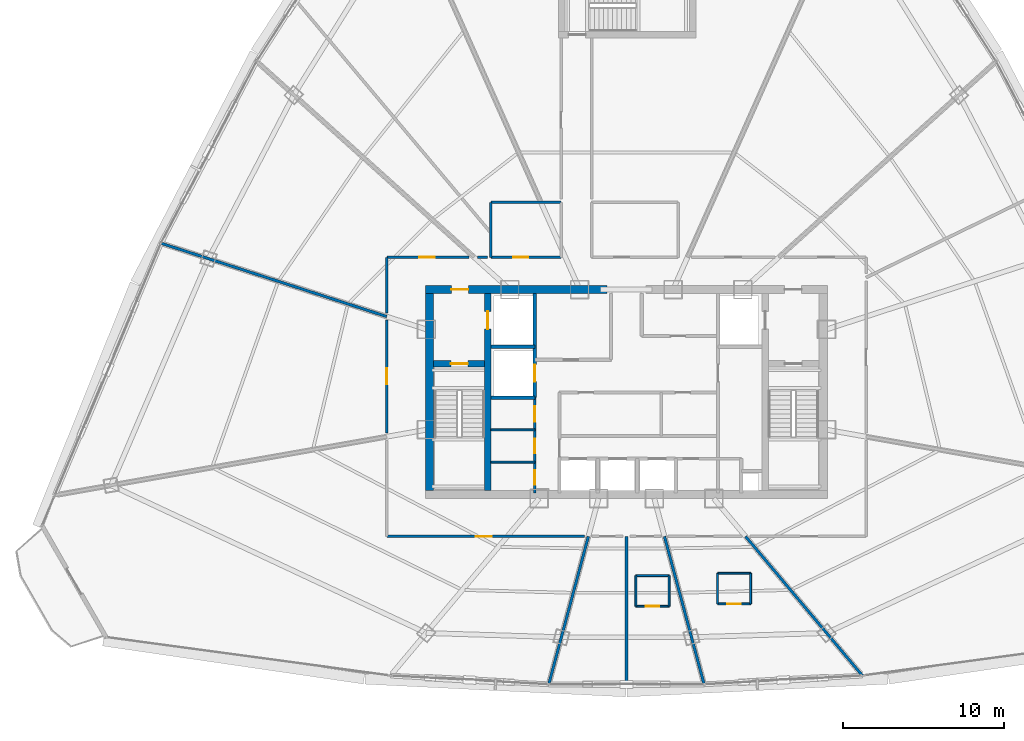
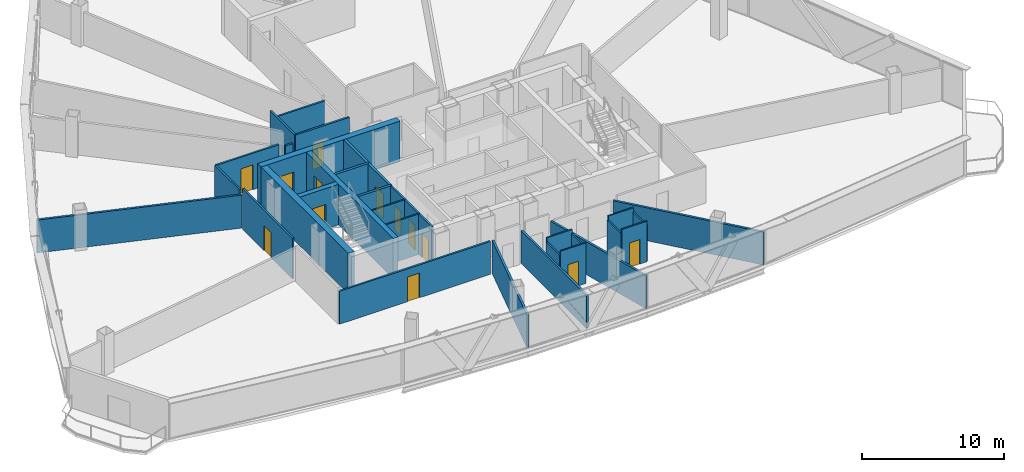
# One storey, part 27 of 34: 31 walls, 13 doors, 13 openings.
"""IFC4 building model written with IfcOpenShell, lengths in metres."""

from ifc_helpers import new_model, si_unit, direction, frame, frame_2d, origin, origin_with_axes, place, context, subcontext, project, spatial, rectangle, extrude, source, transform, mapped, material, layer, layer_set, type_object, element, fill, save


model = new_model("IFC4")

# Units and contexts
model_context = context("Model", 3, precision=1e-05, world=origin(), true_north=direction((0.0, 1.0)))
body_context = subcontext(model_context, "Body", "Model", "MODEL_VIEW")
ifc_project = project(units=[si_unit("LENGTHUNIT", "METRE"), si_unit("AREAUNIT", "SQUARE_METRE"), si_unit("VOLUMEUNIT", "CUBIC_METRE"), si_unit("PLANEANGLEUNIT", "RADIAN"), si_unit("MASSUNIT", "GRAM", prefix="KILO"), si_unit("THERMODYNAMICTEMPERATUREUNIT", "KELVIN"), si_unit("POWERUNIT", "WATT")], contexts=[model_context])

# Site, building, storey
site_placement = place(None, origin())
site = spatial("IfcSite", under=ifc_project, at=site_placement, CompositionType="ELEMENT")
building_placement = place(site_placement, origin())
building = spatial("IfcBuilding", under=site, at=building_placement, Name="Yunzhuo Pagoda Commons", CompositionType="ELEMENT")
storey_placement = place(building_placement, frame((0.0, 0.0, 233.340087890625)))
storey = spatial("IfcBuildingStorey", under=building, at=storey_placement, Name="L58", CompositionType="ELEMENT", Elevation=233.340087890625)

# Wall, opening, door
ifc_material_1 = material(Name="Concrete C50", Category="concrete")
ifc_layer_1 = layer(ifc_material_1, 0.5)
ifc_layer_set_1 = layer_set([ifc_layer_1], Name="Concrete C50")
wall_type_1 = type_object("IfcWallType", Name="W-C03 Upper Core Shear Wall 500", PredefinedType="SHEAR", material=ifc_layer_set_1)
wall_1_placement = place(storey_placement, frame((35.550048828125, 40.199951171875, 0.0), z_axis=(0.0, 0.0, 1.0), x_axis=(1.0, 0.0, 0.0)))
wall_1 = element("IfcWall", 1, at=wall_1_placement, inside=storey, type_object=wall_type_1, Name="L58 core shear wall NW", PredefinedType="SHEAR", context=body_context, shape_type="SweptSolid", body=[
    extrude(rectangle(XDim=11.25, YDim=0.5, at=frame_2d((5.625, 0.0))), origin(), (0.0, 0.0, 1.0), 3.469970703125),
])
opening_1_placement = place(wall_1_placement, frame((1.60009765625, 0.0, 0.0)))
opening_1 = element("IfcOpeningElement", 2, at=opening_1_placement, cuts=wall_1, Name="Opening D-02", PredefinedType="OPENING", context=body_context, shape_type="SweptSolid", body=[
    extrude(rectangle(XDim=1.050048828125, YDim=2.10009765625, at=frame_2d((0.52490234375, 1.050048828125))), frame((0.0, 0.260009765625, 0.0), z_axis=(0.0, -1.0, 0.0), x_axis=(1.0, 0.0, 0.0)), (0.0, 0.0, 1.0), 0.52001953125),
])
ifc_material_2 = material(Name="Galvanized fire-resisting metal leaf")
door_type_1 = type_object("IfcDoorType", Name="D-02 Firefighting Lobby & Refuge Fire Door 1050x2100", OperationType="NOTDEFINED", PredefinedType="DOOR", material=ifc_material_2)
shared_shape_1 = source(origin(), body_context, "Body", "SweptSolid", [
    extrude(rectangle(XDim=1.050048828125, YDim=2.10009765625, at=frame_2d((0.52490234375, 1.050048828125))), frame((0.0, 0.02490234375, 0.0), z_axis=(0.0, -1.0, 0.0), x_axis=(1.0, 0.0, 0.0)), (0.0, 0.0, 1.0), 0.050048828125),
])
door_1_placement = place(opening_1_placement, frame((1.050048828125, 0.0, 0.0), z_axis=(0.0, 0.0, 1.0), x_axis=(-1.0, 0.0, 0.0)))
door_1 = element("IfcDoor", 3, at=door_1_placement, inside=storey, type_object=door_type_1, Name="L58 Firefighting Lobby 1 fire door", OperationType="SINGLE_SWING_LEFT", OverallHeight=2.10009765625, OverallWidth=1.050048828125, PredefinedType="DOOR", context=body_context, shape_type="MappedRepresentation", body=[
    mapped(shared_shape_1, transform((0.0, 0.0, 0.0), scale=1.0)),
])
fill(opening_1, door_1)

# Wall
wall_2_placement = place(storey_placement, frame((35.800048828125, 27.75, 0.0), z_axis=(0.0, 0.0, 1.0), x_axis=(0.0, 1.0, 0.0)))
element("IfcWall", 4, at=wall_2_placement, inside=storey, type_object=wall_type_1, Name="L58 core shear wall W", PredefinedType="SHEAR", context=body_context, shape_type="SweptSolid", body=[
    extrude(rectangle(XDim=12.199951171875, YDim=0.5, at=frame_2d((6.10009765625, 0.0))), origin(), (0.0, 0.0, 1.0), 3.469970703125),
])

# Wall, openings, doors
ifc_material_3 = material(Name="Gypsum plasterboard on acoustic stud")
ifc_layer_2 = layer(ifc_material_3, 0.14990234375)
ifc_layer_set_2 = layer_set([ifc_layer_2], Name="Gypsum plasterboard on acoustic stud")
wall_type_2 = type_object("IfcWallType", Name="W-COR3 High-Zone Rated Corridor Wall 150", PredefinedType="PARTITIONING", material=ifc_layer_set_2)
wall_3_placement = place(storey_placement, frame((42.320068359375, 27.60009765625, 0.0), z_axis=(0.0, 0.0, 1.0), x_axis=(0.0, 1.0, 0.0)))
wall_3 = element("IfcWall", 5, at=wall_3_placement, inside=storey, type_object=wall_type_2, Name="L58 interior wall IW-L58-CSWE", PredefinedType="PARTITIONING", context=body_context, shape_type="SweptSolid", body=[
    extrude(rectangle(XDim=5.89990234375, YDim=0.14990234375, at=frame_2d((2.949951171875, 0.0))), origin(), (0.0, 0.0, 1.0), 3.469970703125),
])
opening_2_placement = place(wall_3_placement, frame((0.5, 0.0, 0.0)))
opening_2 = element("IfcOpeningElement", 6, at=opening_2_placement, cuts=wall_3, Name="Opening D-03", PredefinedType="OPENING", context=body_context, shape_type="SweptSolid", body=[
    extrude(rectangle(XDim=0.89990234375, YDim=2.10009765625, at=frame_2d((0.449951171875, 1.050048828125))), frame((0.0, 0.0849609375, 0.0), z_axis=(0.0, -1.0, 0.0), x_axis=(1.0, 0.0, 0.0)), (0.0, 0.0, 1.0), 0.169921875),
])
opening_3_placement = place(wall_3_placement, frame((2.449951171875, 0.0, 0.0)))
opening_3 = element("IfcOpeningElement", 7, at=opening_3_placement, cuts=wall_3, Name="Opening D-03", PredefinedType="OPENING", context=body_context, shape_type="SweptSolid", body=[
    extrude(rectangle(XDim=0.89990234375, YDim=2.10009765625, at=frame_2d((0.449951171875, 1.050048828125))), frame((0.0, 0.0849609375, 0.0), z_axis=(0.0, -1.0, 0.0), x_axis=(1.0, 0.0, 0.0)), (0.0, 0.0, 1.0), 0.169921875),
])
opening_4_placement = place(wall_3_placement, frame((4.419921875, 0.0, 0.0)))
opening_4 = element("IfcOpeningElement", 8, at=opening_4_placement, cuts=wall_3, Name="Opening D-11", PredefinedType="OPENING", context=body_context, shape_type="SweptSolid", body=[
    extrude(rectangle(XDim=0.93994140625, YDim=2.10009765625, at=frame_2d((0.469970703125, 1.050048828125))), frame((0.0, 0.0849609375, 0.0), z_axis=(0.0, -1.0, 0.0), x_axis=(1.0, 0.0, 0.0)), (0.0, 0.0, 1.0), 0.169921875),
])
door_type_2 = type_object("IfcDoorType", Name="D-03 Core Service Fire Door 900x2100", OperationType="NOTDEFINED", PredefinedType="DOOR", material=ifc_material_2)
shared_shape_2 = source(origin(), body_context, "Body", "SweptSolid", [
    extrude(rectangle(XDim=0.89990234375, YDim=2.10009765625, at=frame_2d((0.449951171875, 1.050048828125))), frame((0.0, 0.02490234375, 0.0), z_axis=(0.0, -1.0, 0.0), x_axis=(1.0, 0.0, 0.0)), (0.0, 0.0, 1.0), 0.050048828125),
])
door_2_placement = place(opening_2_placement, origin_with_axes())
door_2 = element("IfcDoor", 9, at=door_2_placement, inside=storey, type_object=door_type_2, Name="L58 switch door", OperationType="SINGLE_SWING_RIGHT", OverallHeight=2.10009765625, OverallWidth=0.89990234375, PredefinedType="DOOR", context=body_context, shape_type="MappedRepresentation", body=[
    mapped(shared_shape_2, transform((0.0, 0.0, 0.0), scale=1.0)),
])
fill(opening_2, door_2)
door_3_placement = place(opening_3_placement, origin_with_axes())
door_3 = element("IfcDoor", 10, at=door_3_placement, inside=storey, type_object=door_type_2, Name="L58 cleaner door", OperationType="SINGLE_SWING_RIGHT", OverallHeight=2.10009765625, OverallWidth=0.89990234375, PredefinedType="DOOR", context=body_context, shape_type="MappedRepresentation", body=[
    mapped(shared_shape_2, transform((0.0, 0.0, 0.0), scale=1.0)),
])
fill(opening_3, door_3)
door_type_3 = type_object("IfcDoorType", Name="D-11 Accessible Washroom Fire Door 940x2100", OperationType="NOTDEFINED", PredefinedType="DOOR", material=ifc_material_2)
shared_shape_3 = source(origin(), body_context, "Body", "SweptSolid", [
    extrude(rectangle(XDim=0.93994140625, YDim=2.10009765625, at=frame_2d((0.469970703125, 1.050048828125))), frame((0.0, 0.02490234375, 0.0), z_axis=(0.0, -1.0, 0.0), x_axis=(1.0, 0.0, 0.0)), (0.0, 0.0, 1.0), 0.050048828125),
])
door_4_placement = place(opening_4_placement, origin_with_axes())
door_4 = element("IfcDoor", 11, at=door_4_placement, inside=storey, type_object=door_type_3, Name="L58 core WC door", OperationType="SINGLE_SWING_LEFT", OverallHeight=2.10009765625, OverallWidth=0.93994140625, PredefinedType="DOOR", context=body_context, shape_type="MappedRepresentation", body=[
    mapped(shared_shape_3, transform((0.0, 0.0, 0.0), scale=1.0)),
])
fill(opening_4, door_4)

# Wall, opening, door
wall_4_placement = place(storey_placement, frame((39.60009765625, 42.199951171875, 0.0), z_axis=(0.0, 0.0, 1.0), x_axis=(1.0, 0.0, 0.0)))
wall_4 = element("IfcWall", 12, at=wall_4_placement, inside=storey, type_object=wall_type_2, Name="L58 interior wall IW-L58-TFWS", PredefinedType="PARTITIONING", context=body_context, shape_type="SweptSolid", body=[
    extrude(rectangle(XDim=4.349853515625, YDim=0.14990234375, at=frame_2d((2.1748046875, 0.0))), origin(), (0.0, 0.0, 1.0), 3.469970703125),
])
opening_5_placement = place(wall_4_placement, frame((1.39990234375, 0.0, 0.0)))
opening_5 = element("IfcOpeningElement", 13, at=opening_5_placement, cuts=wall_4, Name="Opening D-04", PredefinedType="OPENING", context=body_context, shape_type="SweptSolid", body=[
    extrude(rectangle(XDim=0.919921875, YDim=2.10009765625, at=frame_2d((0.4599609375, 1.050048828125))), frame((0.0, 0.0849609375, 0.0), z_axis=(0.0, -1.0, 0.0), x_axis=(1.0, 0.0, 0.0)), (0.0, 0.0, 1.0), 0.169921875),
])
ifc_material_4 = material(Name="Powder-coated aluminium and timber acoustic leaf", Category="wood")
door_type_4 = type_object("IfcDoorType", Name="D-04 Bedroom & Study Interior Door 920x2100", OperationType="NOTDEFINED", PredefinedType="DOOR", material=ifc_material_4)
shared_shape_4 = source(origin(), body_context, "Body", "SweptSolid", [
    extrude(rectangle(XDim=0.919921875, YDim=2.10009765625, at=frame_2d((0.4599609375, 1.050048828125))), frame((0.0, 0.02490234375, 0.0), z_axis=(0.0, -1.0, 0.0), x_axis=(1.0, 0.0, 0.0)), (0.0, 0.0, 1.0), 0.050048828125),
])
door_5_placement = place(opening_5_placement, frame((0.919921875, 0.0, 0.0), z_axis=(0.0, 0.0, 1.0), x_axis=(-1.0, 0.0, 0.0)))
door_5 = element("IfcDoor", 14, at=door_5_placement, inside=storey, type_object=door_type_4, Name="L58 laundry door", OperationType="SINGLE_SWING_LEFT", OverallHeight=2.10009765625, OverallWidth=0.919921875, PredefinedType="DOOR", context=body_context, shape_type="MappedRepresentation", body=[
    mapped(shared_shape_4, transform((0.0, 0.0, 0.0), scale=1.0)),
])
fill(opening_5, door_5)

# Walls
wall_5_placement = place(storey_placement, frame((39.60009765625, 45.60009765625, 0.0), z_axis=(0.0, 0.0, 1.0), x_axis=(1.0, 0.0, 0.0)))
element("IfcWall", 15, at=wall_5_placement, inside=storey, type_object=wall_type_2, Name="L58 interior wall IW-L58-TFWN", PredefinedType="PARTITIONING", context=body_context, shape_type="SweptSolid", body=[
    extrude(rectangle(XDim=4.349853515625, YDim=0.14990234375, at=frame_2d((2.1748046875, 0.0))), origin(), (0.0, 0.0, 1.0), 2.81982421875),
])
wall_6_placement = place(storey_placement, frame((39.60009765625, 42.199951171875, 0.0), z_axis=(0.0, 0.0, 1.0), x_axis=(0.0, 1.0, 0.0)))
element("IfcWall", 16, at=wall_6_placement, inside=storey, type_object=wall_type_2, Name="L58 interior wall IW-L58-TFWW", PredefinedType="PARTITIONING", context=body_context, shape_type="SweptSolid", body=[
    extrude(rectangle(XDim=3.400146484375, YDim=0.14990234375, at=frame_2d((1.7001953125, 0.0))), origin(), (0.0, 0.0, 1.0), 3.469970703125),
])

# Wall, opening, door
wall_7_placement = place(storey_placement, frame((33.14990234375, 31.30126953125, 0.0), z_axis=(0.0, 0.0, 1.0), x_axis=(0.0, 1.0, 0.0)))
wall_7 = element("IfcWall", 17, at=wall_7_placement, inside=storey, type_object=wall_type_2, Name="L58 interior wall IW-L58-CWL02", PredefinedType="PARTITIONING", context=body_context, shape_type="SweptSolid", body=[
    extrude(rectangle(XDim=7.004150390625, YDim=0.14990234375, at=frame_2d((3.501953125, 0.0))), origin(), (0.0, 0.0, 1.0), 3.469970703125),
])
opening_6_placement = place(wall_7_placement, frame((3.027099609375, 0.0, 0.0)))
opening_6 = element("IfcOpeningElement", 18, at=opening_6_placement, cuts=wall_7, Name="Opening D-08", PredefinedType="OPENING", context=body_context, shape_type="SweptSolid", body=[
    extrude(rectangle(XDim=0.97998046875, YDim=2.1201171875, at=frame_2d((0.489990234375, 1.06005859375))), frame((0.0, 0.0849609375, 0.0), z_axis=(0.0, -1.0, 0.0), x_axis=(1.0, 0.0, 0.0)), (0.0, 0.0, 1.0), 0.169921875),
])
door_type_5 = type_object("IfcDoorType", Name="D-08 High-Zone Suite Entrance Fire Door 980x2120", OperationType="NOTDEFINED", PredefinedType="DOOR", material=ifc_material_2)
shared_shape_5 = source(origin(), body_context, "Body", "SweptSolid", [
    extrude(rectangle(XDim=0.97998046875, YDim=2.1201171875, at=frame_2d((0.489990234375, 1.06005859375))), frame((0.0, 0.02490234375, 0.0), z_axis=(0.0, -1.0, 0.0), x_axis=(1.0, 0.0, 0.0)), (0.0, 0.0, 1.0), 0.050048828125),
])
door_6_placement = place(opening_6_placement, origin_with_axes())
door_6 = element("IfcDoor", 19, at=door_6_placement, inside=storey, type_object=door_type_5, Name="L58 unit 08 entrance door", OperationType="SINGLE_SWING_RIGHT", OverallHeight=2.1201171875, OverallWidth=0.97998046875, PredefinedType="DOOR", context=body_context, shape_type="MappedRepresentation", body=[
    mapped(shared_shape_5, transform((0.0, 0.0, 0.0), scale=1.0)),
])
fill(opening_6, door_6)

# Wall
wall_8_placement = place(storey_placement, frame((33.14990234375, 38.75634765625, 0.0), z_axis=(0.0, 0.0, 1.0), x_axis=(0.0, 1.0, 0.0)))
element("IfcWall", 20, at=wall_8_placement, inside=storey, type_object=wall_type_2, Name="L58 interior wall IW-L58-CWL03", PredefinedType="PARTITIONING", context=body_context, shape_type="SweptSolid", body=[
    extrude(rectangle(XDim=3.443603515625, YDim=0.14990234375, at=frame_2d((1.7216796875, 0.0))), origin(), (0.0, 0.0, 1.0), 3.119873046875),
])

# Wall, opening, door
wall_9_placement = place(storey_placement, frame((33.14990234375, 42.199951171875, 0.0), z_axis=(0.0, 0.0, 1.0), x_axis=(1.0, 0.0, 0.0)))
wall_9 = element("IfcWall", 21, at=wall_9_placement, inside=storey, type_object=wall_type_2, Name="L58 interior wall IW-L58-CWL04", PredefinedType="PARTITIONING", context=body_context, shape_type="SweptSolid", body=[
    extrude(rectangle(XDim=5.0810546875, YDim=0.14990234375, at=frame_2d((2.54052734375, 0.0))), origin(), (0.0, 0.0, 1.0), 3.119873046875),
])
opening_7_placement = place(wall_9_placement, frame((2.0, 0.0, 0.0)))
opening_7 = element("IfcOpeningElement", 22, at=opening_7_placement, cuts=wall_9, Name="Opening D-08", PredefinedType="OPENING", context=body_context, shape_type="SweptSolid", body=[
    extrude(rectangle(XDim=0.97998046875, YDim=2.1201171875, at=frame_2d((0.489990234375, 1.06005859375))), frame((0.0, 0.0849609375, 0.0), z_axis=(0.0, -1.0, 0.0), x_axis=(1.0, 0.0, 0.0)), (0.0, 0.0, 1.0), 0.169921875),
])
door_7_placement = place(opening_7_placement, origin_with_axes())
door_7 = element("IfcDoor", 23, at=door_7_placement, inside=storey, type_object=door_type_5, Name="L58 unit 07 entrance door", OperationType="SINGLE_SWING_LEFT", OverallHeight=2.1201171875, OverallWidth=0.97998046875, PredefinedType="DOOR", context=body_context, shape_type="MappedRepresentation", body=[
    mapped(shared_shape_5, transform((0.0, 0.0, 0.0), scale=1.0)),
])
fill(opening_7, door_7)

# Wall
wall_10_placement = place(storey_placement, frame((38.779541015625, 42.199951171875, 0.0), z_axis=(0.0, 0.0, 1.0), x_axis=(1.0, 0.0, 0.0)))
element("IfcWall", 24, at=wall_10_placement, inside=storey, type_object=wall_type_2, Name="L58 interior wall IW-L58-CWL05", PredefinedType="PARTITIONING", context=body_context, shape_type="SweptSolid", body=[
    extrude(rectangle(XDim=0.600341796875, YDim=0.14990234375, at=frame_2d((0.30029296875, 0.0))), origin(), (0.0, 0.0, 1.0), 2.81982421875),
])

# Wall, opening, door
wall_11_placement = place(storey_placement, frame((45.414306640625, 24.89990234375, 0.0), z_axis=(0.0, 0.0, 1.0), x_axis=(-1.0, 0.0, 0.0)))
wall_11 = element("IfcWall", 25, at=wall_11_placement, inside=storey, type_object=wall_type_2, Name="L58 interior wall IW-L58-CWL17", PredefinedType="PARTITIONING", context=body_context, shape_type="SweptSolid", body=[
    extrude(rectangle(XDim=12.264404296875, YDim=0.14990234375, at=frame_2d((6.13232421875, 0.0))), origin(), (0.0, 0.0, 1.0), 2.81982421875),
])
opening_8_placement = place(wall_11_placement, frame((5.773193359375, 0.0, 0.0)))
opening_8 = element("IfcOpeningElement", 26, at=opening_8_placement, cuts=wall_11, Name="Opening D-08", PredefinedType="OPENING", context=body_context, shape_type="SweptSolid", body=[
    extrude(rectangle(XDim=0.97998046875, YDim=2.1201171875, at=frame_2d((0.489990234375, 1.06005859375))), frame((0.0, 0.0849609375, 0.0), z_axis=(0.0, -1.0, 0.0), x_axis=(1.0, 0.0, 0.0)), (0.0, 0.0, 1.0), 0.169921875),
])
door_8_placement = place(opening_8_placement, origin_with_axes())
door_8 = element("IfcDoor", 27, at=door_8_placement, inside=storey, type_object=door_type_5, Name="L58 Resident Co-Living Commons Hall door", OperationType="SINGLE_SWING_LEFT", OverallHeight=2.1201171875, OverallWidth=0.97998046875, PredefinedType="DOOR", context=body_context, shape_type="MappedRepresentation", body=[
    mapped(shared_shape_5, transform((0.0, 0.0, 0.0), scale=1.0)),
])
fill(opening_8, door_8)

# Walls
ifc_layer_3 = layer(ifc_material_3, 0.1201171875)
ifc_layer_set_3 = layer_set([ifc_layer_3], Name="Gypsum plasterboard on acoustic stud")
wall_type_3 = type_object("IfcWallType", Name="W-PRT1 Suite & Bathroom Partition 120", PredefinedType="PARTITIONING", material=ifc_layer_set_3)
for number, where, z_axis, x_axis, name in (
    (28, (39.60009765625, 29.5, 0.0), (0.0, 0.0, 1.0), (1.0, 0.0, 0.0), "L58 interior wall IW-L58-CC1"),
    (29, (39.60009765625, 31.5, 0.0), (0.0, 0.0, 1.0), (1.0, 0.0, 0.0), "L58 interior wall IW-L58-CC2"),
):
    element("IfcWall", number, at=place(storey_placement, frame(where, z_axis=z_axis, x_axis=x_axis)), inside=storey, type_object=wall_type_3, Name=name, PredefinedType="PARTITIONING", context=body_context, shape_type="SweptSolid", body=[
        extrude(rectangle(XDim=2.719970703125, YDim=0.1201171875, at=frame_2d((1.35986328125, 0.0))), origin(), (0.0, 0.0, 1.0), 3.469970703125),
    ])

# Wall, opening, door
wall_12_placement = place(storey_placement, frame((48.591064453125, 20.574951171875, 0.0), z_axis=(0.0, 0.0, 1.0), x_axis=(1.0, 0.0, 0.0)))
wall_12 = element("IfcWall", 30, at=wall_12_placement, inside=storey, type_object=wall_type_3, Name="L58 interior wall IW-L58-B11S", PredefinedType="PARTITIONING", context=body_context, shape_type="SweptSolid", body=[
    extrude(rectangle(XDim=2.050048828125, YDim=0.1201171875, at=frame_2d((1.02490234375, 0.0))), origin(), (0.0, 0.0, 1.0), 3.469970703125),
])
opening_9_placement = place(wall_12_placement, frame((0.60009765625, 0.0, 0.0)))
opening_9 = element("IfcOpeningElement", 31, at=opening_9_placement, cuts=wall_12, Name="Opening D-05", PredefinedType="OPENING", context=body_context, shape_type="SweptSolid", body=[
    extrude(rectangle(XDim=0.85009765625, YDim=2.10009765625, at=frame_2d((0.425048828125, 1.050048828125))), frame((0.0, 0.070068359375, 0.0), z_axis=(0.0, -1.0, 0.0), x_axis=(1.0, 0.0, 0.0)), (0.0, 0.0, 1.0), 0.14013671875),
])
door_type_6 = type_object("IfcDoorType", Name="D-05 En-Suite Bathroom Door 850x2100", OperationType="NOTDEFINED", PredefinedType="DOOR", material=ifc_material_4)
shared_shape_6 = source(origin(), body_context, "Body", "SweptSolid", [
    extrude(rectangle(XDim=0.85009765625, YDim=2.10009765625, at=frame_2d((0.425048828125, 1.050048828125))), frame((0.0, 0.02490234375, 0.0), z_axis=(0.0, -1.0, 0.0), x_axis=(1.0, 0.0, 0.0)), (0.0, 0.0, 1.0), 0.050048828125),
])
door_9_placement = place(opening_9_placement, frame((0.85009765625, 0.0, 0.0), z_axis=(0.0, 0.0, 1.0), x_axis=(-1.0, 0.0, 0.0)))
door_9 = element("IfcDoor", 32, at=door_9_placement, inside=storey, type_object=door_type_6, Name="L58 unit 11 bathroom door", OperationType="SINGLE_SWING_LEFT", OverallHeight=2.10009765625, OverallWidth=0.85009765625, PredefinedType="DOOR", context=body_context, shape_type="MappedRepresentation", body=[
    mapped(shared_shape_6, transform((0.0, 0.0, 0.0), scale=1.0)),
])
fill(opening_9, door_9)

# Walls
wall_13_placement = place(storey_placement, frame((50.64111328125, 20.574951171875, 0.0), z_axis=(0.0, 0.0, 1.0), x_axis=(0.0, 1.0, 0.0)))
element("IfcWall", 33, at=wall_13_placement, inside=storey, type_object=wall_type_3, Name="L58 interior wall IW-L58-B11E", PredefinedType="PARTITIONING", context=body_context, shape_type="SweptSolid", body=[
    extrude(rectangle(XDim=1.900146484375, YDim=0.1201171875, at=frame_2d((0.9501953125, 0.0))), origin(), (0.0, 0.0, 1.0), 3.119873046875),
])
wall_14_placement = place(storey_placement, frame((50.64111328125, 22.47509765625, 0.0), z_axis=(0.0, 0.0, 1.0), x_axis=(-1.0, 0.0, 0.0)))
element("IfcWall", 34, at=wall_14_placement, inside=storey, type_object=wall_type_3, Name="L58 interior wall IW-L58-B11N", PredefinedType="PARTITIONING", context=body_context, shape_type="SweptSolid", body=[
    extrude(rectangle(XDim=2.050048828125, YDim=0.1201171875, at=frame_2d((1.02490234375, 0.0))), origin(), (0.0, 0.0, 1.0), 3.469970703125),
])
wall_15_placement = place(storey_placement, frame((48.591064453125, 22.47509765625, 0.0), z_axis=(0.0, 0.0, 1.0), x_axis=(0.0, -1.0, 0.0)))
element("IfcWall", 35, at=wall_15_placement, inside=storey, type_object=wall_type_3, Name="L58 interior wall IW-L58-B11W", PredefinedType="PARTITIONING", context=body_context, shape_type="SweptSolid", body=[
    extrude(rectangle(XDim=1.900146484375, YDim=0.1201171875, at=frame_2d((0.9501953125, 0.0))), origin(), (0.0, 0.0, 1.0), 3.119873046875),
])

# Wall, opening, door
wall_16_placement = place(storey_placement, frame((53.64501953125, 20.718017578125, 0.0), z_axis=(0.0, 0.0, 1.0), x_axis=(1.0, 0.0, 0.0)))
wall_16 = element("IfcWall", 36, at=wall_16_placement, inside=storey, type_object=wall_type_3, Name="L58 interior wall IW-L58-B12S", PredefinedType="PARTITIONING", context=body_context, shape_type="SweptSolid", body=[
    extrude(rectangle(XDim=2.050048828125, YDim=0.1201171875, at=frame_2d((1.02490234375, 0.0))), origin(), (0.0, 0.0, 1.0), 3.469970703125),
])
opening_10_placement = place(wall_16_placement, frame((0.60009765625, 0.0, 0.0)))
opening_10 = element("IfcOpeningElement", 37, at=opening_10_placement, cuts=wall_16, Name="Opening D-05", PredefinedType="OPENING", context=body_context, shape_type="SweptSolid", body=[
    extrude(rectangle(XDim=0.85009765625, YDim=2.10009765625, at=frame_2d((0.425048828125, 1.050048828125))), frame((0.0, 0.070068359375, 0.0), z_axis=(0.0, -1.0, 0.0), x_axis=(1.0, 0.0, 0.0)), (0.0, 0.0, 1.0), 0.14013671875),
])
door_10_placement = place(opening_10_placement, frame((0.85009765625, 0.0, 0.0), z_axis=(0.0, 0.0, 1.0), x_axis=(-1.0, 0.0, 0.0)))
door_10 = element("IfcDoor", 38, at=door_10_placement, inside=storey, type_object=door_type_6, Name="L58 unit 12 bathroom door", OperationType="SINGLE_SWING_RIGHT", OverallHeight=2.10009765625, OverallWidth=0.85009765625, PredefinedType="DOOR", context=body_context, shape_type="MappedRepresentation", body=[
    mapped(shared_shape_6, transform((0.0, 0.0, 0.0), scale=1.0)),
])
fill(opening_10, door_10)

# Walls
wall_17_placement = place(storey_placement, frame((55.695068359375, 20.718017578125, 0.0), z_axis=(0.0, 0.0, 1.0), x_axis=(0.0, 1.0, 0.0)))
element("IfcWall", 39, at=wall_17_placement, inside=storey, type_object=wall_type_3, Name="L58 interior wall IW-L58-B12E", PredefinedType="PARTITIONING", context=body_context, shape_type="SweptSolid", body=[
    extrude(rectangle(XDim=1.89990234375, YDim=0.1201171875, at=frame_2d((0.949951171875, 0.0))), origin(), (0.0, 0.0, 1.0), 3.119873046875),
])
wall_18_placement = place(storey_placement, frame((55.695068359375, 22.617919921875, 0.0), z_axis=(0.0, 0.0, 1.0), x_axis=(-1.0, 0.0, 0.0)))
element("IfcWall", 40, at=wall_18_placement, inside=storey, type_object=wall_type_3, Name="L58 interior wall IW-L58-B12N", PredefinedType="PARTITIONING", context=body_context, shape_type="SweptSolid", body=[
    extrude(rectangle(XDim=2.050048828125, YDim=0.1201171875, at=frame_2d((1.02490234375, 0.0))), origin(), (0.0, 0.0, 1.0), 3.469970703125),
])
wall_19_placement = place(storey_placement, frame((53.64501953125, 22.617919921875, 0.0), z_axis=(0.0, 0.0, 1.0), x_axis=(0.0, -1.0, 0.0)))
element("IfcWall", 41, at=wall_19_placement, inside=storey, type_object=wall_type_3, Name="L58 interior wall IW-L58-B12W", PredefinedType="PARTITIONING", context=body_context, shape_type="SweptSolid", body=[
    extrude(rectangle(XDim=1.89990234375, YDim=0.1201171875, at=frame_2d((0.949951171875, 0.0))), origin(), (0.0, 0.0, 1.0), 3.119873046875),
])
ifc_layer_4 = layer(ifc_material_3, 0.169921875)
ifc_layer_set_4 = layer_set([ifc_layer_4], Name="Gypsum plasterboard on acoustic stud")
wall_type_4 = type_object("IfcWallType", Name="W-PRT4 High-Zone Demising Wall 170", PredefinedType="PARTITIONING", material=ifc_layer_set_4)
wall_20_placement = place(storey_placement, frame((33.14990234375, 38.525146484375, 0.0), z_axis=(0.0, 0.0, 1.0), x_axis=(-0.951058452106, 0.309011036497, 0.0)))
element("IfcWall", 42, at=wall_20_placement, inside=storey, type_object=wall_type_4, Name="L58 interior wall IW-L58-RAD07", PredefinedType="PARTITIONING", context=body_context, shape_type="SweptSolid", body=[
    extrude(rectangle(XDim=14.71435546875, YDim=0.169921875, at=frame_2d((7.357177734375, 0.0))), origin(), (0.0, 0.0, 1.0), 2.81982421875),
])
wall_21_placement = place(storey_placement, frame((45.64208984375, 24.89990234375, 0.0), z_axis=(0.0, 0.0, 1.0), x_axis=(-0.258832957733, -0.965922098304, 0.0)))
element("IfcWall", 43, at=wall_21_placement, inside=storey, type_object=wall_type_4, Name="L58 interior wall IW-L58-RAD09", PredefinedType="PARTITIONING", context=body_context, shape_type="SweptSolid", body=[
    extrude(rectangle(XDim=9.489990234375, YDim=0.169921875, at=frame_2d((4.7451171875, 0.0))), origin(), (0.0, 0.0, 1.0), 2.81982421875),
])
wall_22_placement = place(storey_placement, frame((48.0, 24.89990234375, 0.0), z_axis=(0.0, 0.0, 1.0), x_axis=(0.0, -1.0, 0.0)))
element("IfcWall", 44, at=wall_22_placement, inside=storey, type_object=wall_type_4, Name="L58 interior wall IW-L58-RAD10", PredefinedType="PARTITIONING", context=body_context, shape_type="SweptSolid", body=[
    extrude(rectangle(XDim=9.16650390625, YDim=0.169921875, at=frame_2d((4.583251953125, 0.0))), origin(), (0.0, 0.0, 1.0), 2.81982421875),
])
wall_23_placement = place(storey_placement, frame((50.35791015625, 24.89990234375, 0.0), z_axis=(0.0, 0.0, 1.0), x_axis=(0.258832957733, -0.965922098304, 0.0)))
element("IfcWall", 45, at=wall_23_placement, inside=storey, type_object=wall_type_4, Name="L58 interior wall IW-L58-RAD11", PredefinedType="PARTITIONING", context=body_context, shape_type="SweptSolid", body=[
    extrude(rectangle(XDim=9.489990234375, YDim=0.169921875, at=frame_2d((4.7451171875, 0.0))), origin(), (0.0, 0.0, 1.0), 2.81982421875),
])
wall_24_placement = place(storey_placement, frame((55.384033203125, 24.89990234375, 0.0), z_axis=(0.0, 0.0, 1.0), x_axis=(0.642803558478, -0.766031060211, 0.0)))
element("IfcWall", 46, at=wall_24_placement, inside=storey, type_object=wall_type_4, Name="L58 interior wall IW-L58-RAD12", PredefinedType="PARTITIONING", context=body_context, shape_type="SweptSolid", body=[
    extrude(rectangle(XDim=11.26123046875, YDim=0.169921875, at=frame_2d((5.630615234375, 0.0))), origin(), (0.0, 0.0, 1.0), 2.81982421875),
])

# Wall, opening, door
ifc_material_5 = material(Name="Concrete C60", Category="concrete")
ifc_layer_5 = layer(ifc_material_5, 0.39990234375)
ifc_layer_set_5 = layer_set([ifc_layer_5], Name="Concrete C60")
wall_type_5 = type_object("IfcWallType", Name="W-S01 Internal Core Shear Web 400", PredefinedType="SHEAR", material=ifc_layer_set_5)
wall_25_placement = place(storey_placement, frame((39.39990234375, 27.75, 0.0), z_axis=(0.0, 0.0, 1.0), x_axis=(0.0, 1.0, 0.0)))
wall_25 = element("IfcWall", 47, at=wall_25_placement, inside=storey, type_object=wall_type_5, Name="L58 core shear wall WEBW", PredefinedType="SHEAR", context=body_context, shape_type="SweptSolid", body=[
    extrude(rectangle(XDim=12.199951171875, YDim=0.39990234375, at=frame_2d((6.10009765625, 0.0))), origin(), (0.0, 0.0, 1.0), 3.469970703125),
])
opening_11_placement = place(wall_25_placement, frame((10.0, 0.0, 0.0)))
opening_11 = element("IfcOpeningElement", 48, at=opening_11_placement, cuts=wall_25, Name="Opening LD-01", PredefinedType="OPENING", context=body_context, shape_type="SweptSolid", body=[
    extrude(rectangle(XDim=1.10009765625, YDim=2.10009765625, at=frame_2d((0.550048828125, 1.050048828125))), frame((0.0, 0.2099609375, 0.0), z_axis=(0.0, -1.0, 0.0), x_axis=(1.0, 0.0, 0.0)), (0.0, 0.0, 1.0), 0.419921875),
])
door_type_7 = type_object("IfcDoorType", Name="LD-01 Firefighting Lift Landing Door 1100x2100", OperationType="DOUBLE_DOOR_SLIDING", PredefinedType="DOOR", material=ifc_material_2)
shared_shape_7 = source(origin(), body_context, "Body", "SweptSolid", [
    extrude(rectangle(XDim=1.10009765625, YDim=2.10009765625, at=frame_2d((0.550048828125, 1.050048828125))), frame((0.0, 0.02490234375, 0.0), z_axis=(0.0, -1.0, 0.0), x_axis=(1.0, 0.0, 0.0)), (0.0, 0.0, 1.0), 0.050048828125),
])
door_11_placement = place(opening_11_placement, frame((1.10009765625, 0.0, 0.0), z_axis=(0.0, 0.0, 1.0), x_axis=(-1.0, 0.0, 0.0)))
door_11 = element("IfcDoor", 49, at=door_11_placement, inside=storey, type_object=door_type_7, Name="L58 Firefighting lift FL-1 landing door", OperationType="DOUBLE_DOOR_SLIDING", OverallHeight=2.10009765625, OverallWidth=1.10009765625, PredefinedType="DOOR", context=body_context, shape_type="MappedRepresentation", body=[
    mapped(shared_shape_7, transform((0.0, 0.0, 0.0), scale=1.0)),
])
fill(opening_11, door_11)

wall_26_placement = place(storey_placement, frame((36.050048828125, 35.60009765625, 0.0), z_axis=(0.0, 0.0, 1.0), x_axis=(1.0, 0.0, 0.0)))
wall_26 = element("IfcWall", 50, at=wall_26_placement, inside=storey, type_object=wall_type_5, Name="L58 core shear wall STW", PredefinedType="SHEAR", context=body_context, shape_type="SweptSolid", body=[
    extrude(rectangle(XDim=3.14990234375, YDim=0.39990234375, at=frame_2d((1.574951171875, 0.0))), origin(), (0.0, 0.0, 1.0), 3.469970703125),
])
opening_12_placement = place(wall_26_placement, frame((1.070068359375, 0.0, 0.0)))
opening_12 = element("IfcOpeningElement", 51, at=opening_12_placement, cuts=wall_26, Name="Opening D-01", PredefinedType="OPENING", context=body_context, shape_type="SweptSolid", body=[
    extrude(rectangle(XDim=1.050048828125, YDim=2.10009765625, at=frame_2d((0.52490234375, 1.050048828125))), frame((0.0, 0.2099609375, 0.0), z_axis=(0.0, -1.0, 0.0), x_axis=(1.0, 0.0, 0.0)), (0.0, 0.0, 1.0), 0.419921875),
])
door_type_8 = type_object("IfcDoorType", Name="D-01 Smokeproof Stair Fire Door 1050x2100", OperationType="NOTDEFINED", PredefinedType="DOOR", material=ifc_material_2)
door_12_placement = place(opening_12_placement, frame((1.050048828125, 0.0, 0.0), z_axis=(0.0, 0.0, 1.0), x_axis=(-1.0, 0.0, 0.0)))
door_12 = element("IfcDoor", 52, at=door_12_placement, inside=storey, type_object=door_type_8, Name="L58 Stair ST1 fire door", OperationType="SINGLE_SWING_LEFT", OverallHeight=2.10009765625, OverallWidth=1.050048828125, PredefinedType="DOOR", context=body_context, shape_type="MappedRepresentation", body=[
    mapped(shared_shape_1, transform((0.0, 0.0, 0.0), scale=1.0)),
])
fill(opening_12, door_12)

ifc_material_6 = material(Name="Concrete C40", Category="concrete")
ifc_layer_6 = layer(ifc_material_6, 0.199951171875)
ifc_layer_set_6 = layer_set([ifc_layer_6], Name="Concrete C40")
wall_type_6 = type_object("IfcWallType", Name="W-SHF Shaft & Stair Enclosure Wall 200", PredefinedType="SOLIDWALL", material=ifc_layer_set_6)
wall_27_placement = place(storey_placement, frame((42.320068359375, 33.5, 0.0), z_axis=(0.0, 0.0, 1.0), x_axis=(0.0, 1.0, 0.0)))
wall_27 = element("IfcWall", 53, at=wall_27_placement, inside=storey, type_object=wall_type_6, Name="L58 interior wall IW-L58-FL1E", PredefinedType="SOLIDWALL", context=body_context, shape_type="SweptSolid", body=[
    extrude(rectangle(XDim=6.449951171875, YDim=0.199951171875, at=frame_2d((3.22509765625, 0.0))), origin(), (0.0, 0.0, 1.0), 3.469970703125),
])
opening_13_placement = place(wall_27_placement, frame((1.0, 0.0, 0.0)))
opening_13 = element("IfcOpeningElement", 54, at=opening_13_placement, cuts=wall_27, Name="Opening LD-02", PredefinedType="OPENING", context=body_context, shape_type="SweptSolid", body=[
    extrude(rectangle(XDim=1.050048828125, YDim=2.10009765625, at=frame_2d((0.52490234375, 1.050048828125))), frame((0.0, 0.10986328125, 0.0), z_axis=(0.0, -1.0, 0.0), x_axis=(1.0, 0.0, 0.0)), (0.0, 0.0, 1.0), 0.219970703125),
])
door_type_9 = type_object("IfcDoorType", Name="LD-02 Passenger Lift Landing Door 1050x2100", OperationType="DOUBLE_DOOR_SLIDING", PredefinedType="DOOR", material=ifc_material_2)
door_13_placement = place(opening_13_placement, origin_with_axes())
door_13 = element("IfcDoor", 55, at=door_13_placement, inside=storey, type_object=door_type_9, Name="L58 Service lift SL-1 landing door", OperationType="DOUBLE_DOOR_SLIDING", OverallHeight=2.10009765625, OverallWidth=1.050048828125, PredefinedType="DOOR", context=body_context, shape_type="MappedRepresentation", body=[
    mapped(shared_shape_1, transform((0.0, 0.0, 0.0), scale=1.0)),
])
fill(opening_13, door_13)

# Walls
for number, where, z_axis, x_axis, name in (
    (56, (39.60009765625, 36.64990234375, 0.0), (0.0, 0.0, 1.0), (1.0, 0.0, 0.0), "L58 interior wall IW-L58-FL1S"),
    (57, (39.60009765625, 33.5, 0.0), (0.0, 0.0, 1.0), (1.0, 0.0, 0.0), "L58 interior wall IW-L58-SL1S"),
):
    element("IfcWall", number, at=place(storey_placement, frame(where, z_axis=z_axis, x_axis=x_axis)), inside=storey, type_object=wall_type_6, Name=name, PredefinedType="SOLIDWALL", context=body_context, shape_type="SweptSolid", body=[
        extrude(rectangle(XDim=2.719970703125, YDim=0.199951171875, at=frame_2d((1.35986328125, 0.0))), origin(), (0.0, 0.0, 1.0), 3.469970703125),
    ])

save(model, "model.ifc")
